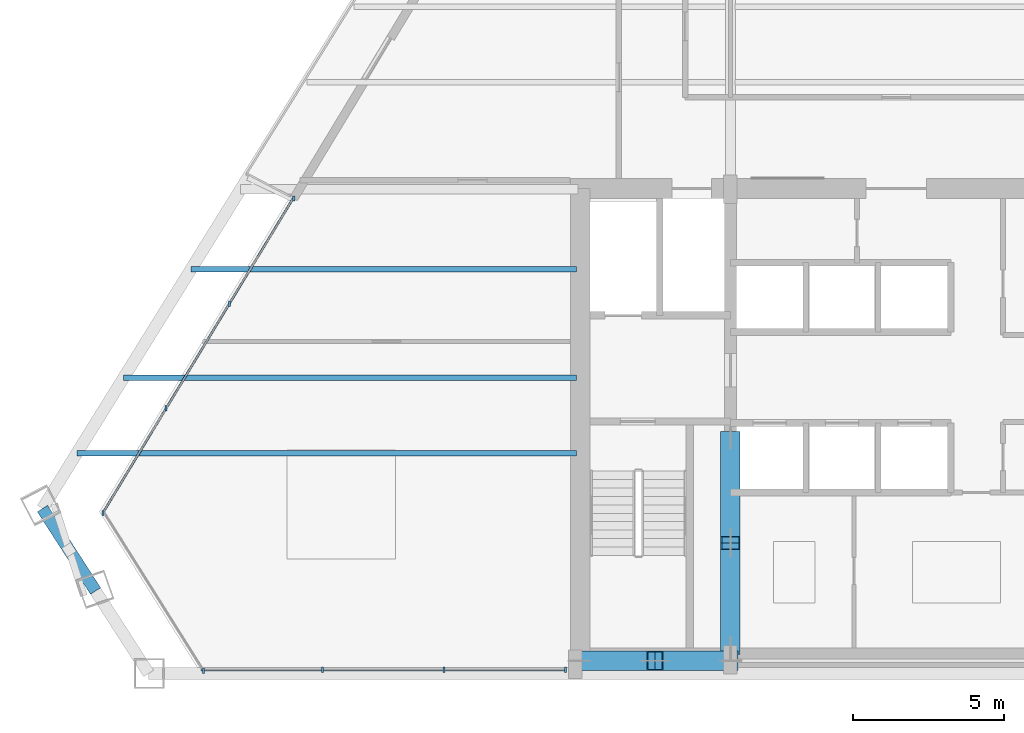
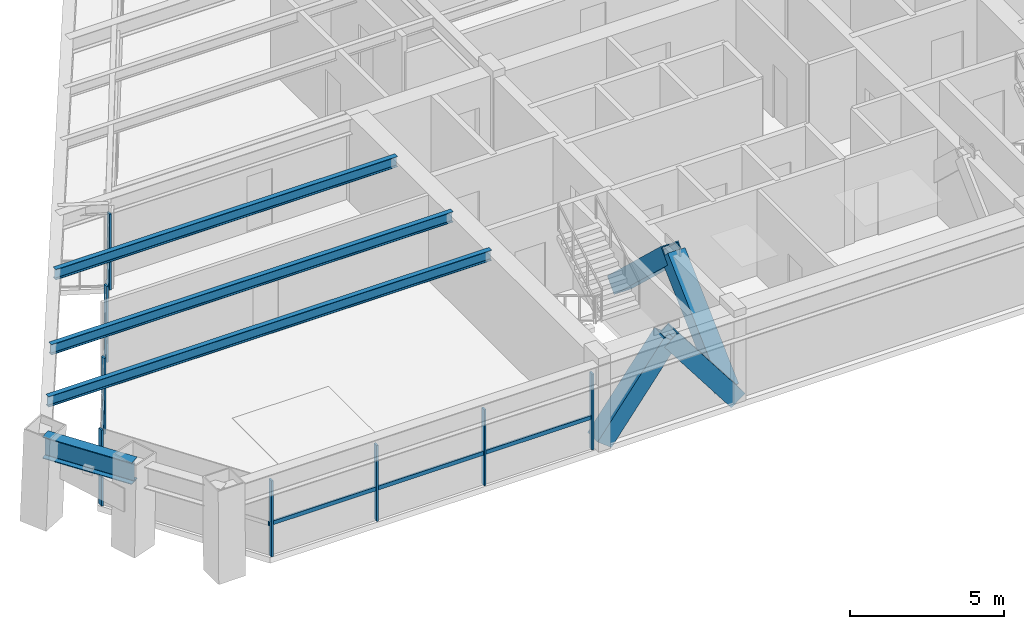
# One storey, part 2 of 12: 18 members, 4 beams, 3 elements without a shape of their own.
"""IFC4 building model written with IfcOpenShell, lengths in metres."""

from ifc_helpers import new_model, si_unit, direction, frame, origin, origin_2d, place, context, subcontext, project, spatial, rectangle, hollow_rectangle, i_section, extrude, source, transform, mapped, material, material_profile, profile_set, type_object, element, aggregate, save


model = new_model("IFC4")

# Units and contexts
model_context = context("Model", 3, precision=1e-05, world=origin(), true_north=direction((0.0, 1.0)))
body_context = subcontext(model_context, "Body", "Model", "MODEL_VIEW")
ifc_project = project(units=[si_unit("LENGTHUNIT", "METRE"), si_unit("AREAUNIT", "SQUARE_METRE"), si_unit("VOLUMEUNIT", "CUBIC_METRE"), si_unit("PLANEANGLEUNIT", "RADIAN"), si_unit("MASSUNIT", "GRAM", prefix="KILO")], contexts=[model_context])

# Site, building, storey
site_placement = place(None, origin())
site = spatial("IfcSite", under=ifc_project, at=site_placement, CompositionType="ELEMENT")
building_placement = place(site_placement, origin())
building = spatial("IfcBuilding", under=site, at=building_placement, Name="Varnakhor Terracotta Tower", CompositionType="ELEMENT")
storey_placement = place(building_placement, frame((0.0, 0.0, 211.699951171875)))
storey = spatial("IfcBuildingStorey", under=building, at=storey_placement, Name="L54", CompositionType="ELEMENT", Elevation=211.699951171875)

# Beams
ifc_material_1 = material(Name="Steel S355", Category="steel")
ifc_material_profile_1 = material_profile(ifc_material_1, i_section(OverallWidth=0.39990234375, OverallDepth=0.85498046875, WebThickness=0.01806640625, FlangeThickness=0.029052734375, FilletRadius=0.01806640625, at=origin_2d()), Name="W33X201")
ifc_profile_set_1 = profile_set([ifc_material_profile_1], Name="Steel S355")
beam_type_1 = type_object("IfcBeamType", Name="BM-W33X201", PredefinedType="BEAM", material=ifc_profile_set_1)
shared_shape_1 = source(origin(), body_context, "Body", "SweptSolid", [
    extrude(i_section(OverallWidth=0.39990234375, OverallDepth=0.85498046875, WebThickness=0.01806640625, FlangeThickness=0.029052734375, FilletRadius=0.01806640625, at=origin_2d()), origin(), (0.0, 0.0, 1.0), 3.25048828125),
])
beam_1_placement = place(storey_placement, frame((-28.307373046875, 5.464599609375, 2.992431640625), z_axis=(0.541755580335, -0.840536073691, 0.0), x_axis=(0.840536073691, 0.541755580335, 0.0)))
element("IfcBeam", 1, at=beam_1_placement, inside=storey, type_object=beam_type_1, Name="L54 Perimeter Spandrel 7", PredefinedType="BEAM", context=body_context, shape_type="MappedRepresentation", body=[
    mapped(shared_shape_1, transform((0.0, 0.0, 0.0), scale=1.0)),
])
ifc_material_profile_2 = material_profile(ifc_material_1, i_section(OverallWidth=0.179931640625, OverallDepth=0.4130859375, WebThickness=0.009765625, FlangeThickness=0.01611328125, FilletRadius=0.01806640625, at=origin_2d()), Name="W16X50")
ifc_profile_set_2 = profile_set([ifc_material_profile_2], Name="Steel S355")
beam_type_2 = type_object("IfcBeamType", Name="JST-W16X50", PredefinedType="JOIST", material=ifc_profile_set_2)
shared_shape_2 = source(origin(), body_context, "Body", "SweptSolid", [
    extrude(i_section(OverallWidth=0.179931640625, OverallDepth=0.4130859375, WebThickness=0.009765625, FlangeThickness=0.01611328125, FilletRadius=0.01806640625, at=origin_2d()), origin(), (0.0, 0.0, 1.0), 16.568359375),
])
beam_2_placement = place(storey_placement, frame((-27.16845703125, 7.300048828125, 3.213623046875), z_axis=(1.0, 0.0, 0.0), x_axis=(0.0, 1.0, 0.0)))
element("IfcBeam", 2, at=beam_2_placement, inside=storey, type_object=beam_type_2, Name="L54 Floor Joist W1", PredefinedType="JOIST", context=body_context, shape_type="MappedRepresentation", body=[
    mapped(shared_shape_2, transform((0.0, 0.0, 0.0), scale=1.0)),
])
shared_shape_3 = source(origin(), body_context, "Body", "SweptSolid", [
    extrude(i_section(OverallWidth=0.179931640625, OverallDepth=0.4130859375, WebThickness=0.009765625, FlangeThickness=0.01611328125, FilletRadius=0.01806640625, at=origin_2d()), origin(), (0.0, 0.0, 1.0), 15.01708984375),
])
beam_3_placement = place(storey_placement, frame((-25.6171875, 9.800048828125, 3.213623046875), z_axis=(1.0, 0.0, 0.0), x_axis=(0.0, 1.0, 0.0)))
element("IfcBeam", 3, at=beam_3_placement, inside=storey, type_object=beam_type_2, Name="L54 Floor Joist W2", PredefinedType="JOIST", context=body_context, shape_type="MappedRepresentation", body=[
    mapped(shared_shape_3, transform((0.0, 0.0, 0.0), scale=1.0)),
])
shared_shape_4 = source(origin(), body_context, "Body", "SweptSolid", [
    extrude(i_section(OverallWidth=0.179931640625, OverallDepth=0.4130859375, WebThickness=0.009765625, FlangeThickness=0.01611328125, FilletRadius=0.01806640625, at=origin_2d()), origin(), (0.0, 0.0, 1.0), 12.783203125),
])
beam_4_placement = place(storey_placement, frame((-23.38330078125, 13.39990234375, 3.213623046875), z_axis=(1.0, 0.0, 0.0), x_axis=(0.0, 1.0, 0.0)))
element("IfcBeam", 4, at=beam_4_placement, inside=storey, type_object=beam_type_2, Name="L54 Floor Joist W3", PredefinedType="JOIST", context=body_context, shape_type="MappedRepresentation", body=[
    mapped(shared_shape_4, transform((0.0, 0.0, 0.0), scale=1.0)),
])

# Members
ifc_material_2 = material(Name="Steel S460", Category="steel")
ifc_material_profile_3 = material_profile(ifc_material_2, hollow_rectangle(XDim=0.64990234375, YDim=0.64990234375, WallThickness=0.0400390625, at=origin_2d()), Name="HSS650X650X40")
ifc_profile_set_3 = profile_set([ifc_material_profile_3], Name="Steel S460")
member_type_1 = type_object("IfcMemberType", Name="MBR-MEGA-650", PredefinedType="BRACE", material=ifc_profile_set_3)
shared_shape_5 = source(origin(), body_context, "Body", "SweptSolid", [
    extrude(hollow_rectangle(XDim=0.64990234375, YDim=0.64990234375, WallThickness=0.0400390625, at=origin_2d()), origin(), (0.0, 0.0, 1.0), 4.1162109375),
])
for number, where, z_axis, x_axis, name in (
    (5, (-10.5, 0.419921875, 0.0), (0.607357638477, 0.0, 0.794428536109), (0.0, 1.0, 0.0), "L54 Core Coupled Brace CSWA"),
    (6, (-5.5, 0.419921875, 0.0), (-0.607357638477, 0.0, 0.794428536109), (0.0, -1.0, 0.0), "L54 Core Coupled Brace CSWB"),
):
    element("IfcMember", number, at=place(storey_placement, frame(where, z_axis=z_axis, x_axis=x_axis)), inside=storey, type_object=member_type_1, Name=name, PredefinedType="BRACE", context=body_context, shape_type="MappedRepresentation", body=[
        mapped(shared_shape_5, transform((0.0, 0.0, 0.0), scale=1.0)),
    ])
shared_shape_6 = source(origin(), body_context, "Body", "SweptSolid", [
    extrude(hollow_rectangle(XDim=0.64990234375, YDim=0.64990234375, WallThickness=0.0400390625, at=origin_2d()), origin(), (0.0, 0.0, 1.0), 4.771484375),
])
member_1_placement = place(storey_placement, frame((-5.5, 0.85009765625, 0.0), z_axis=(0.0, 0.728245054713, 0.685316817454), x_axis=(-1.0, 0.0, 0.0)))
element("IfcMember", 7, at=member_1_placement, inside=storey, type_object=member_type_1, Name="L54 Core Coupled Brace CWWA", PredefinedType="BRACE", context=body_context, shape_type="MappedRepresentation", body=[
    mapped(shared_shape_6, transform((0.0, 0.0, 0.0), scale=1.0)),
])
shared_shape_7 = source(origin(), body_context, "Body", "SweptSolid", [
    extrude(hollow_rectangle(XDim=0.64990234375, YDim=0.64990234375, WallThickness=0.0400390625, at=origin_2d()), origin(), (0.0, 0.0, 1.0), 4.771728515625),
])
member_2_placement = place(storey_placement, frame((-5.5, 7.800048828125, 0.0), z_axis=(0.0, -0.728269083929, 0.685291282152), x_axis=(1.0, 0.0, 0.0)))
element("IfcMember", 8, at=member_2_placement, inside=storey, type_object=member_type_1, Name="L54 Core Coupled Brace CWWB", PredefinedType="BRACE", context=body_context, shape_type="MappedRepresentation", body=[
    mapped(shared_shape_7, transform((0.0, 0.0, 0.0), scale=1.0)),
])

# Curtain wall, members
ifc_material_3 = material(Name="Anodised Aluminium Curtain Wall System", Category="aluminium")
curtain_wall_type = type_object("IfcCurtainWallType", Name="CW-SYS-MID-OFFICE", PredefinedType="NOTDEFINED", material=ifc_material_3)
curtain_wall_1_placement = place(storey_placement, origin())
curtain_wall_1 = element("IfcCurtainWall", 9, at=curtain_wall_1_placement, inside=storey, type_object=curtain_wall_type, Name="L54 W Facet Curtain Wall 1", PredefinedType="NOTDEFINED")
ifc_material_4 = material(Name="Anodised Aluminium 6063-T6", Category="aluminium")
ifc_material_profile_4 = material_profile(ifc_material_4, rectangle(XDim=0.070068359375, YDim=0.175048828125, at=origin_2d()), Name="ALU MULLION 70x175")
ifc_profile_set_4 = profile_set([ifc_material_profile_4], Name="Anodised Aluminium 6063-T6")
member_type_2 = type_object("IfcMemberType", Name="CWM-03", PredefinedType="MULLION", material=ifc_profile_set_4)
shared_shape_8 = source(origin(), body_context, "Body", "SweptSolid", [
    extrude(rectangle(XDim=0.070068359375, YDim=0.175048828125, at=origin_2d()), origin(), (0.0, 0.0, 1.0), 3.0),
])
member_3_placement = place(storey_placement, frame((-26.30322265625, 5.32080078125, 0.0), z_axis=(0.0, 0.0, 1.0), x_axis=(1.0, 0.0, 0.0)))
member_3 = element("IfcMember", 10, at=member_3_placement, type_object=member_type_2, Name="L54 W Facet Curtain Wall 1 Mullion 1", PredefinedType="MULLION", context=body_context, shape_type="MappedRepresentation", body=[
    mapped(shared_shape_8, transform((0.0, 0.0, 0.0), scale=1.0)),
])
member_4_placement = place(storey_placement, frame((-24.205078125, 8.7900390625, 0.0), z_axis=(0.0, 0.0, 1.0), x_axis=(1.0, 0.0, 0.0)))
member_4 = element("IfcMember", 11, at=member_4_placement, type_object=member_type_2, Name="L54 W Facet Curtain Wall 1 Mullion 2", PredefinedType="MULLION", context=body_context, shape_type="MappedRepresentation", body=[
    mapped(shared_shape_8, transform((0.0, 0.0, 0.0), scale=1.0)),
])
member_5_placement = place(storey_placement, frame((-22.107177734375, 12.259521484375, 0.0), z_axis=(0.0, 0.0, 1.0), x_axis=(1.0, 0.0, 0.0)))
member_5 = element("IfcMember", 12, at=member_5_placement, type_object=member_type_2, Name="L54 W Facet Curtain Wall 1 Mullion 3", PredefinedType="MULLION", context=body_context, shape_type="MappedRepresentation", body=[
    mapped(shared_shape_8, transform((0.0, 0.0, 0.0), scale=1.0)),
])
member_6_placement = place(storey_placement, frame((-19.976318359375, 15.744384765625, 0.0), z_axis=(0.0, 0.0, 1.0), x_axis=(1.0, 0.0, 0.0)))
member_6 = element("IfcMember", 13, at=member_6_placement, type_object=member_type_2, Name="L54 W Loggia Jamb Closure Mullion 1", PredefinedType="MULLION", context=body_context, shape_type="MappedRepresentation", body=[
    mapped(shared_shape_8, transform((0.0, 0.0, 0.0), scale=1.0)),
])

curtain_wall_2_placement = place(storey_placement, origin())
curtain_wall_2 = element("IfcCurtainWall", 14, at=curtain_wall_2_placement, inside=storey, type_object=curtain_wall_type, Name="L54 South Wing Curtain Wall SSW", PredefinedType="NOTDEFINED")
member_7_placement = place(storey_placement, frame((-10.969970703125, 0.1201171875, 0.0), z_axis=(0.0, 0.0, 1.0), x_axis=(1.0, 0.0, 0.0)))
member_7 = element("IfcMember", 15, at=member_7_placement, type_object=member_type_2, Name="L54 South Wing Curtain Wall SSW Mullion 1", PredefinedType="MULLION", context=body_context, shape_type="MappedRepresentation", body=[
    mapped(shared_shape_8, transform((0.0, 0.0, 0.0), scale=1.0)),
])
member_8_placement = place(storey_placement, frame((-14.994384765625, 0.1201171875, 0.0), z_axis=(0.0, 0.0, 1.0), x_axis=(1.0, 0.0, 0.0)))
member_8 = element("IfcMember", 16, at=member_8_placement, type_object=member_type_2, Name="L54 South Wing Curtain Wall SSW Mullion 2", PredefinedType="MULLION", context=body_context, shape_type="MappedRepresentation", body=[
    mapped(shared_shape_8, transform((0.0, 0.0, 0.0), scale=1.0)),
])
member_9_placement = place(storey_placement, frame((-19.018798828125, 0.1201171875, 0.0), z_axis=(0.0, 0.0, 1.0), x_axis=(1.0, 0.0, 0.0)))
member_9 = element("IfcMember", 17, at=member_9_placement, type_object=member_type_2, Name="L54 South Wing Curtain Wall SSW Mullion 3", PredefinedType="MULLION", context=body_context, shape_type="MappedRepresentation", body=[
    mapped(shared_shape_8, transform((0.0, 0.0, 0.0), scale=1.0)),
])

# Curtain wall, member
curtain_wall_3_placement = place(storey_placement, origin())
curtain_wall_3 = element("IfcCurtainWall", 18, at=curtain_wall_3_placement, inside=storey, type_object=curtain_wall_type, Name="L54 Facet Curtain Wall 6", PredefinedType="NOTDEFINED")
member_10_placement = place(storey_placement, frame((-22.96728515625, 0.08935546875, 0.0), z_axis=(0.0, 0.0, 1.0), x_axis=(1.0, 0.0, 0.0)))
member_10 = element("IfcMember", 19, at=member_10_placement, type_object=member_type_2, Name="L54 Facet Curtain Wall 6 Mullion 1", PredefinedType="MULLION", context=body_context, shape_type="MappedRepresentation", body=[
    mapped(shared_shape_8, transform((0.0, 0.0, 0.0), scale=1.0)),
])
aggregate(curtain_wall_3, [member_10])

# Member
ifc_material_profile_5 = material_profile(ifc_material_4, rectangle(XDim=0.070068359375, YDim=0.155029296875, at=origin_2d()), Name="ALU TRANSOM 70x155")
ifc_profile_set_5 = profile_set([ifc_material_profile_5], Name="Anodised Aluminium 6063-T6")
member_type_3 = type_object("IfcMemberType", Name="CWT-03", PredefinedType="USERDEFINED", material=ifc_profile_set_5)
shared_shape_9 = source(origin(), body_context, "Body", "SweptSolid", [
    extrude(rectangle(XDim=0.070068359375, YDim=0.155029296875, at=origin_2d()), origin(), (0.0, 0.0, 1.0), 4.054443359375),
])
member_11_placement = place(storey_placement, frame((-26.30322265625, 5.32080078125, 1.260009765625), z_axis=(0.517503425337, 0.855681134982, 0.0), x_axis=(-0.855681134982, 0.517503425337, 0.0)))
member_11 = element("IfcMember", 20, at=member_11_placement, type_object=member_type_3, Name="L54 W Facet Curtain Wall 1 Transom 1", ObjectType="TRANSOM", PredefinedType="USERDEFINED", context=body_context, shape_type="MappedRepresentation", body=[
    mapped(shared_shape_9, transform((0.0, 0.0, 0.0), scale=1.0)),
])

member_12_placement = place(storey_placement, frame((-24.205078125, 8.7900390625, 1.260009765625), z_axis=(0.517432669746, 0.855723922933, 0.0), x_axis=(-0.855723922933, 0.517432669746, 0.0)))
member_12 = element("IfcMember", 21, at=member_12_placement, type_object=member_type_3, Name="L54 W Facet Curtain Wall 1 Transom 2", ObjectType="TRANSOM", PredefinedType="USERDEFINED", context=body_context, shape_type="MappedRepresentation", body=[
    mapped(shared_shape_9, transform((0.0, 0.0, 0.0), scale=1.0)),
])

shared_shape_10 = source(origin(), body_context, "Body", "SweptSolid", [
    extrude(rectangle(XDim=0.070068359375, YDim=0.155029296875, at=origin_2d()), origin(), (0.0, 0.0, 1.0), 4.0546875),
])
member_13_placement = place(storey_placement, frame((-22.107177734375, 12.259521484375, 1.260009765625), z_axis=(0.517476761369, 0.855697260392, 0.0), x_axis=(-0.855697260392, 0.517476761369, 0.0)))
member_13 = element("IfcMember", 22, at=member_13_placement, type_object=member_type_3, Name="L54 W Facet Curtain Wall 1 Transom 3", ObjectType="TRANSOM", PredefinedType="USERDEFINED", context=body_context, shape_type="MappedRepresentation", body=[
    mapped(shared_shape_10, transform((0.0, 0.0, 0.0), scale=1.0)),
])

aggregate(curtain_wall_1, [member_3, member_11, member_4, member_12, member_5, member_13, member_6])

shared_shape_11 = source(origin(), body_context, "Body", "SweptSolid", [
    extrude(rectangle(XDim=0.070068359375, YDim=0.155029296875, at=origin_2d()), origin(), (0.0, 0.0, 1.0), 4.0244140625),
])
member_14_placement = place(storey_placement, frame((-10.969970703125, 0.1201171875, 1.260009765625), z_axis=(-1.0, 0.0, 0.0), x_axis=(0.0, -1.0, 0.0)))
member_14 = element("IfcMember", 23, at=member_14_placement, type_object=member_type_3, Name="L54 South Wing Curtain Wall SSW Transom 1", ObjectType="TRANSOM", PredefinedType="USERDEFINED", context=body_context, shape_type="MappedRepresentation", body=[
    mapped(shared_shape_11, transform((0.0, 0.0, 0.0), scale=1.0)),
])

member_15_placement = place(storey_placement, frame((-14.994384765625, 0.1201171875, 1.260009765625), z_axis=(-1.0, 0.0, 0.0), x_axis=(0.0, -1.0, 0.0)))
member_15 = element("IfcMember", 24, at=member_15_placement, type_object=member_type_3, Name="L54 South Wing Curtain Wall SSW Transom 2", ObjectType="TRANSOM", PredefinedType="USERDEFINED", context=body_context, shape_type="MappedRepresentation", body=[
    mapped(shared_shape_11, transform((0.0, 0.0, 0.0), scale=1.0)),
])

shared_shape_12 = source(origin(), body_context, "Body", "SweptSolid", [
    extrude(rectangle(XDim=0.070068359375, YDim=0.155029296875, at=origin_2d()), origin(), (0.0, 0.0, 1.0), 4.024169921875),
])
member_16_placement = place(storey_placement, frame((-19.018798828125, 0.1201171875, 1.260009765625), z_axis=(-1.0, 0.0, 0.0), x_axis=(0.0, -1.0, 0.0)))
member_16 = element("IfcMember", 25, at=member_16_placement, type_object=member_type_3, Name="L54 South Wing Curtain Wall SSW Transom 3", ObjectType="TRANSOM", PredefinedType="USERDEFINED", context=body_context, shape_type="MappedRepresentation", body=[
    mapped(shared_shape_12, transform((0.0, 0.0, 0.0), scale=1.0)),
])

aggregate(curtain_wall_2, [member_7, member_14, member_8, member_15, member_9, member_16])

save(model, "model.ifc")
